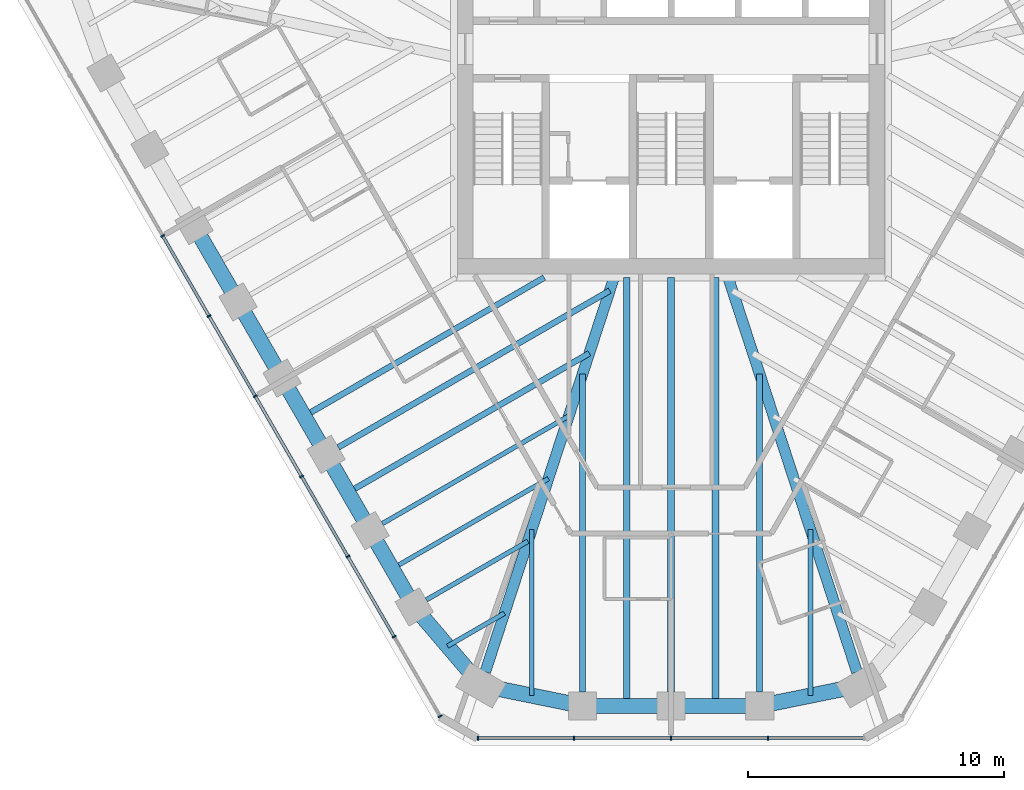
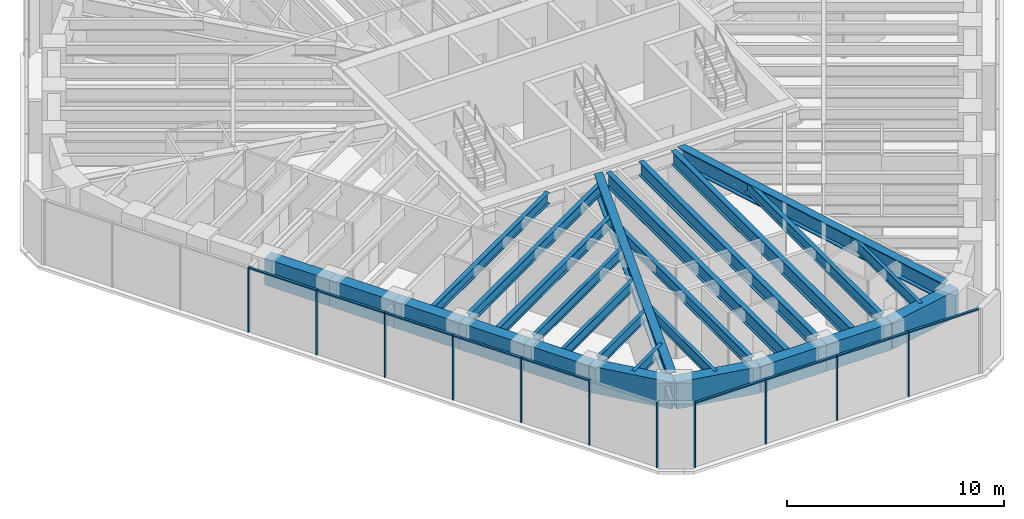
# One storey, part 2 of 14: 26 beams, 20 members, 2 elements without a shape of their own.
"""IFC4 building model written with IfcOpenShell, lengths in metres."""

from ifc_helpers import new_model, si_unit, direction, frame, origin, origin_2d, place, context, subcontext, project, spatial, rectangle, i_section, extrude, material, material_profile, profile_set, type_object, element, aggregate, save


model = new_model("IFC4")

# Units and contexts
model_context = context("Model", 3, precision=1e-05, world=origin(), true_north=direction((0.0, 1.0)))
body_context = subcontext(model_context, "Body", "Model", "MODEL_VIEW")
ifc_project = project(units=[si_unit("LENGTHUNIT", "METRE"), si_unit("AREAUNIT", "SQUARE_METRE"), si_unit("VOLUMEUNIT", "CUBIC_METRE"), si_unit("PLANEANGLEUNIT", "RADIAN"), si_unit("MASSUNIT", "GRAM", prefix="KILO")], contexts=[model_context])

# Site, building, storey
site_placement = place(None, origin())
site = spatial("IfcSite", under=ifc_project, at=site_placement, CompositionType="ELEMENT")
building_placement = place(site_placement, origin())
building = spatial("IfcBuilding", under=site, at=building_placement, Name="Sandreach Pilgrim Tower", CompositionType="ELEMENT")
storey_placement = place(building_placement, frame((0.0, 0.0, 287.39990234375)))
storey = spatial("IfcBuildingStorey", under=building, at=storey_placement, Name="L72", CompositionType="ELEMENT", Elevation=287.39990234375)

# Curtain wall, members
ifc_material_1 = material(Name="Aluminium framed curtain wall", Category="aluminium")
curtain_wall_type = type_object("IfcCurtainWallType", Name="Suite tower curtain wall", PredefinedType="NOTDEFINED", material=ifc_material_1)
curtain_wall_1_placement = place(storey_placement, origin())
curtain_wall_1 = element("IfcCurtainWall", 1, at=curtain_wall_1_placement, inside=storey, type_object=curtain_wall_type, Name="CW-4 L72 S", PredefinedType="NOTDEFINED")
ifc_material_2 = material(Name="Aluminium extrusion", Category="aluminium")
ifc_material_profile_1 = material_profile(ifc_material_2, rectangle(XDim=0.06005859375, YDim=0.159912109375, at=origin_2d()), Name="CW-4M 60X160")
ifc_profile_set_1 = profile_set([ifc_material_profile_1], Name="Aluminium extrusion")
member_type_1 = type_object("IfcMemberType", Name="CW-4 mullion", PredefinedType="MULLION", material=ifc_profile_set_1)
member_1_placement = place(storey_placement, frame((3.791748046875, -24.858154296875, 0.0), z_axis=(0.0, 0.0, 1.0), x_axis=(-1.0, 0.0, 0.0)))
member_1 = element("IfcMember", 2, at=member_1_placement, type_object=member_type_1, Name="CW-4 mullion 2", PredefinedType="MULLION", context=body_context, shape_type="SweptSolid", body=[
    extrude(rectangle(XDim=0.06005859375, YDim=0.159912109375, at=origin_2d()), origin(), (0.0, 0.0, 1.0), 3.64013671875),
])
member_2_placement = place(storey_placement, frame((0.0, -24.858154296875, 0.0), z_axis=(0.0, 0.0, 1.0), x_axis=(-1.0, 0.0, 0.0)))
member_2 = element("IfcMember", 3, at=member_2_placement, type_object=member_type_1, Name="CW-4 mullion 3", PredefinedType="MULLION", context=body_context, shape_type="SweptSolid", body=[
    extrude(rectangle(XDim=0.06005859375, YDim=0.159912109375, at=origin_2d()), origin(), (0.0, 0.0, 1.0), 3.64013671875),
])
member_3_placement = place(storey_placement, frame((-3.791748046875, -24.858154296875, 0.0), z_axis=(0.0, 0.0, 1.0), x_axis=(-1.0, 0.0, 0.0)))
member_3 = element("IfcMember", 4, at=member_3_placement, type_object=member_type_1, Name="CW-4 mullion 4", PredefinedType="MULLION", context=body_context, shape_type="SweptSolid", body=[
    extrude(rectangle(XDim=0.06005859375, YDim=0.159912109375, at=origin_2d()), origin(), (0.0, 0.0, 1.0), 3.64013671875),
])
member_4_placement = place(storey_placement, frame((-7.553466796875, -24.858154296875, 0.0), z_axis=(0.0, 0.0, 1.0), x_axis=(-1.0, 0.0, 0.0)))
member_4 = element("IfcMember", 5, at=member_4_placement, type_object=member_type_1, Name="CW-4 mullion 5", PredefinedType="MULLION", context=body_context, shape_type="SweptSolid", body=[
    extrude(rectangle(XDim=0.06005859375, YDim=0.159912109375, at=origin_2d()), origin(), (0.0, 0.0, 1.0), 3.64013671875),
])

curtain_wall_2_placement = place(storey_placement, origin())
curtain_wall_2 = element("IfcCurtainWall", 6, at=curtain_wall_2_placement, inside=storey, type_object=curtain_wall_type, Name="CW-4 L72 SW", PredefinedType="NOTDEFINED")
member_5_placement = place(storey_placement, frame((-9.035888671875, -24.001953125, 0.0), z_axis=(0.0, 0.0, 1.0), x_axis=(-0.5, 0.866025403784, 0.0)))
member_5 = element("IfcMember", 7, at=member_5_placement, type_object=member_type_1, Name="CW-4 mullion 1", PredefinedType="MULLION", context=body_context, shape_type="SweptSolid", body=[
    extrude(rectangle(XDim=0.06005859375, YDim=0.159912109375, at=origin_2d()), origin(), (0.0, 0.0, 1.0), 3.64013671875),
])
member_6_placement = place(storey_placement, frame((-10.83203125, -20.891357421875, 0.0), z_axis=(0.0, 0.0, 1.0), x_axis=(-0.5, 0.866025403784, 0.0)))
member_6 = element("IfcMember", 8, at=member_6_placement, type_object=member_type_1, Name="CW-4 mullion 2", PredefinedType="MULLION", context=body_context, shape_type="SweptSolid", body=[
    extrude(rectangle(XDim=0.06005859375, YDim=0.159912109375, at=origin_2d()), origin(), (0.0, 0.0, 1.0), 3.64013671875),
])
member_7_placement = place(storey_placement, frame((-12.642822265625, -17.7548828125, 0.0), z_axis=(0.0, 0.0, 1.0), x_axis=(-0.5, 0.866025403784, 0.0)))
member_7 = element("IfcMember", 9, at=member_7_placement, type_object=member_type_1, Name="CW-4 mullion 3", PredefinedType="MULLION", context=body_context, shape_type="SweptSolid", body=[
    extrude(rectangle(XDim=0.06005859375, YDim=0.159912109375, at=origin_2d()), origin(), (0.0, 0.0, 1.0), 3.64013671875),
])
member_8_placement = place(storey_placement, frame((-14.453857421875, -14.6181640625, 0.0), z_axis=(0.0, 0.0, 1.0), x_axis=(-0.5, 0.866025403784, 0.0)))
member_8 = element("IfcMember", 10, at=member_8_placement, type_object=member_type_1, Name="CW-4 mullion 4", PredefinedType="MULLION", context=body_context, shape_type="SweptSolid", body=[
    extrude(rectangle(XDim=0.06005859375, YDim=0.159912109375, at=origin_2d()), origin(), (0.0, 0.0, 1.0), 3.64013671875),
])
member_9_placement = place(storey_placement, frame((-16.2646484375, -11.4814453125, 0.0), z_axis=(0.0, 0.0, 1.0), x_axis=(-0.5, 0.866025403784, 0.0)))
member_9 = element("IfcMember", 11, at=member_9_placement, type_object=member_type_1, Name="CW-4 mullion 5", PredefinedType="MULLION", context=body_context, shape_type="SweptSolid", body=[
    extrude(rectangle(XDim=0.06005859375, YDim=0.159912109375, at=origin_2d()), origin(), (0.0, 0.0, 1.0), 3.64013671875),
])
member_10_placement = place(storey_placement, frame((-18.07568359375, -8.344970703125, 0.0), z_axis=(0.0, 0.0, 1.0), x_axis=(-0.5, 0.866025403784, 0.0)))
member_10 = element("IfcMember", 12, at=member_10_placement, type_object=member_type_1, Name="CW-4 mullion 6", PredefinedType="MULLION", context=body_context, shape_type="SweptSolid", body=[
    extrude(rectangle(XDim=0.06005859375, YDim=0.159912109375, at=origin_2d()), origin(), (0.0, 0.0, 1.0), 3.64013671875),
])
member_11_placement = place(storey_placement, frame((-19.886474609375, -5.208251953125, 0.0), z_axis=(0.0, 0.0, 1.0), x_axis=(-0.5, 0.866025403784, 0.0)))
member_11 = element("IfcMember", 13, at=member_11_placement, type_object=member_type_1, Name="CW-4 mullion 7", PredefinedType="MULLION", context=body_context, shape_type="SweptSolid", body=[
    extrude(rectangle(XDim=0.06005859375, YDim=0.159912109375, at=origin_2d()), origin(), (0.0, 0.0, 1.0), 3.64013671875),
])

# Member
ifc_material_3 = material(Name="Aluminium extrusion", Category="aluminium")
ifc_material_profile_2 = material_profile(ifc_material_3, rectangle(XDim=0.1201171875, YDim=0.070068359375, at=origin_2d()), Name="CW-4T 120X70")
ifc_profile_set_2 = profile_set([ifc_material_profile_2], Name="Aluminium extrusion")
member_type_2 = type_object("IfcMemberType", Name="CW-4 transom", PredefinedType="USERDEFINED", material=ifc_profile_set_2)
member_12_placement = place(storey_placement, frame((7.5234375, -24.858154296875, 3.60498046875), z_axis=(-1.0, 0.0, 0.0), x_axis=(0.0, -1.0, 0.0)))
member_12 = element("IfcMember", 14, at=member_12_placement, type_object=member_type_2, Name="CW-4 head transom 1", ObjectType="TRANSOM", PredefinedType="USERDEFINED", context=body_context, shape_type="SweptSolid", body=[
    extrude(rectangle(XDim=0.1201171875, YDim=0.070068359375, at=origin_2d()), origin(), (0.0, 0.0, 1.0), 3.70166015625),
])

member_13_placement = place(storey_placement, frame((3.76171875, -24.858154296875, 3.60498046875), z_axis=(-1.0, 0.0, 0.0), x_axis=(0.0, -1.0, 0.0)))
member_13 = element("IfcMember", 15, at=member_13_placement, type_object=member_type_2, Name="CW-4 head transom 2", ObjectType="TRANSOM", PredefinedType="USERDEFINED", context=body_context, shape_type="SweptSolid", body=[
    extrude(rectangle(XDim=0.1201171875, YDim=0.070068359375, at=origin_2d()), origin(), (0.0, 0.0, 1.0), 3.731689453125),
])

member_14_placement = place(storey_placement, frame((-0.030029296875, -24.858154296875, 3.60498046875), z_axis=(-1.0, 0.0, 0.0), x_axis=(0.0, -1.0, 0.0)))
member_14 = element("IfcMember", 16, at=member_14_placement, type_object=member_type_2, Name="CW-4 head transom 3", ObjectType="TRANSOM", PredefinedType="USERDEFINED", context=body_context, shape_type="SweptSolid", body=[
    extrude(rectangle(XDim=0.1201171875, YDim=0.070068359375, at=origin_2d()), origin(), (0.0, 0.0, 1.0), 3.731689453125),
])

member_15_placement = place(storey_placement, frame((-3.82177734375, -24.858154296875, 3.60498046875), z_axis=(-1.0, 0.0, 0.0), x_axis=(0.0, -1.0, 0.0)))
member_15 = element("IfcMember", 17, at=member_15_placement, type_object=member_type_2, Name="CW-4 head transom 4", ObjectType="TRANSOM", PredefinedType="USERDEFINED", context=body_context, shape_type="SweptSolid", body=[
    extrude(rectangle(XDim=0.1201171875, YDim=0.070068359375, at=origin_2d()), origin(), (0.0, 0.0, 1.0), 3.70166015625),
])

aggregate(curtain_wall_1, [member_1, member_2, member_3, member_4, member_12, member_13, member_14, member_15])

member_16_placement = place(storey_placement, frame((-10.846923828125, -20.865478515625, 3.60498046875), z_axis=(-0.500009219579, 0.866020080793, 0.0), x_axis=(-0.866020080793, -0.500009219579, 0.0)))
member_16 = element("IfcMember", 18, at=member_16_placement, type_object=member_type_2, Name="CW-4 head transom 2", ObjectType="TRANSOM", PredefinedType="USERDEFINED", context=body_context, shape_type="SweptSolid", body=[
    extrude(rectangle(XDim=0.1201171875, YDim=0.070068359375, at=origin_2d()), origin(), (0.0, 0.0, 1.0), 3.56201171875),
])

member_17_placement = place(storey_placement, frame((-12.657958984375, -17.728759765625, 3.60498046875), z_axis=(-0.499957811549, 0.866049759928, 0.0), x_axis=(-0.866049759928, -0.499957811549, 0.0)))
member_17 = element("IfcMember", 19, at=member_17_placement, type_object=member_type_2, Name="CW-4 head transom 3", ObjectType="TRANSOM", PredefinedType="USERDEFINED", context=body_context, shape_type="SweptSolid", body=[
    extrude(rectangle(XDim=0.1201171875, YDim=0.070068359375, at=origin_2d()), origin(), (0.0, 0.0, 1.0), 3.561767578125),
])

member_18_placement = place(storey_placement, frame((-14.46875, -14.59228515625, 3.60498046875), z_axis=(-0.500009219579, 0.866020080793, 0.0), x_axis=(-0.866020080793, -0.500009219579, 0.0)))
member_18 = element("IfcMember", 20, at=member_18_placement, type_object=member_type_2, Name="CW-4 head transom 4", ObjectType="TRANSOM", PredefinedType="USERDEFINED", context=body_context, shape_type="SweptSolid", body=[
    extrude(rectangle(XDim=0.1201171875, YDim=0.070068359375, at=origin_2d()), origin(), (0.0, 0.0, 1.0), 3.56201171875),
])

member_19_placement = place(storey_placement, frame((-16.27978515625, -11.45556640625, 3.60498046875), z_axis=(-0.499957811549, 0.866049759928, 0.0), x_axis=(-0.866049759928, -0.499957811549, 0.0)))
member_19 = element("IfcMember", 21, at=member_19_placement, type_object=member_type_2, Name="CW-4 head transom 5", ObjectType="TRANSOM", PredefinedType="USERDEFINED", context=body_context, shape_type="SweptSolid", body=[
    extrude(rectangle(XDim=0.1201171875, YDim=0.070068359375, at=origin_2d()), origin(), (0.0, 0.0, 1.0), 3.561767578125),
])

member_20_placement = place(storey_placement, frame((-18.090576171875, -8.31884765625, 3.60498046875), z_axis=(-0.500038900691, 0.866002943295, 0.0), x_axis=(-0.866002943295, -0.500038900691, 0.0)))
member_20 = element("IfcMember", 22, at=member_20_placement, type_object=member_type_2, Name="CW-4 head transom 6", ObjectType="TRANSOM", PredefinedType="USERDEFINED", context=body_context, shape_type="SweptSolid", body=[
    extrude(rectangle(XDim=0.1201171875, YDim=0.070068359375, at=origin_2d()), origin(), (0.0, 0.0, 1.0), 3.561767578125),
])

aggregate(curtain_wall_2, [member_5, member_6, member_7, member_8, member_9, member_10, member_11, member_16, member_17, member_18, member_19, member_20])

# Beams
ifc_material_4 = material(Name="Steel ASTM A992 Grade 50", Category="steel")
ifc_material_profile_3 = material_profile(ifc_material_4, i_section(OverallWidth=0.424072265625, OverallDepth=0.947509765625, WebThickness=0.02392578125, FlangeThickness=0.042724609375, at=origin_2d()), Name="W36X302")
ifc_profile_set_3 = profile_set([ifc_material_profile_3], Name="Steel ASTM A992 Grade 50")
beam_type_1 = type_object("IfcBeamType", Name="Corner girder W36X302", PredefinedType="BEAM", material=ifc_profile_set_3)
for number, where, z_axis, x_axis, name in (
    (23, (7.268310546875, -22.2666015625, 3.16650390625), (-0.310308570047, 0.950635887896, 0.0), (-0.950635887896, -0.310308570047, 0.0), "BM L72 CG22"),
    (24, (-7.268310546875, -22.2666015625, 3.16650390625), (0.310308570047, 0.950635887896, 0.0), (-0.950635887896, 0.310308570047, 0.0), "BM L72 CG26"),
):
    element("IfcBeam", number, at=place(storey_placement, frame(where, z_axis=z_axis, x_axis=x_axis)), inside=storey, type_object=beam_type_1, Name=name, PredefinedType="BEAM", context=body_context, shape_type="SweptSolid", body=[
        extrude(i_section(OverallWidth=0.424072265625, OverallDepth=0.947509765625, WebThickness=0.02392578125, FlangeThickness=0.042724609375, at=origin_2d()), origin(), (0.0, 0.0, 1.0), 16.375),
    ])
ifc_material_5 = material(Name="Steel ASTM A992 Grade 50", Category="steel")
ifc_material_profile_4 = material_profile(ifc_material_5, i_section(OverallWidth=0.1787109375, OverallDepth=0.60205078125, WebThickness=0.010986328125, FlangeThickness=0.014892578125, at=origin_2d()), Name="W24X62")
ifc_profile_set_4 = profile_set([ifc_material_profile_4], Name="Steel ASTM A992 Grade 50")
beam_type_2 = type_object("IfcBeamType", Name="Floor beam W24X62", PredefinedType="BEAM", material=ifc_profile_set_4)
beam_1_placement = place(storey_placement, frame((-9.573974609375, -19.450439453125, 3.339111328125), z_axis=(0.866024320471, 0.50000187635, 0.0), x_axis=(-0.50000187635, 0.866024320471, 0.0)))
element("IfcBeam", 25, at=beam_1_placement, inside=storey, type_object=beam_type_2, Name="BM L72 F27", PredefinedType="BEAM", context=body_context, shape_type="SweptSolid", body=[
    extrude(i_section(OverallWidth=0.1787109375, OverallDepth=0.60205078125, WebThickness=0.010986328125, FlangeThickness=0.014892578125, at=origin_2d()), origin(), (0.0, 0.0, 1.0), 4.58837890625),
])
beam_2_placement = place(storey_placement, frame((-11.29638671875, -16.466796875, 3.339111328125), z_axis=(0.866026819143, 0.499997548519, 0.0), x_axis=(-0.499997548519, 0.866026819143, 0.0)))
element("IfcBeam", 26, at=beam_2_placement, inside=storey, type_object=beam_type_2, Name="BM L72 F28", PredefinedType="BEAM", context=body_context, shape_type="SweptSolid", body=[
    extrude(i_section(OverallWidth=0.1787109375, OverallDepth=0.60205078125, WebThickness=0.010986328125, FlangeThickness=0.014892578125, at=origin_2d()), origin(), (0.0, 0.0, 1.0), 8.4248046875),
])
for number, where, z_axis, x_axis, name in (
    (27, (5.452392578125, -23.19384765625, 3.339111328125), (0.0, 1.0, 0.0), (-1.0, 0.0, 0.0), "BM L72 FM22"),
    (28, (-5.452392578125, -23.19384765625, 3.339111328125), (0.0, 1.0, 0.0), (-1.0, 0.0, 0.0), "BM L72 FM25"),
):
    element("IfcBeam", number, at=place(storey_placement, frame(where, z_axis=z_axis, x_axis=x_axis)), inside=storey, type_object=beam_type_2, Name=name, PredefinedType="BEAM", context=body_context, shape_type="SweptSolid", body=[
        extrude(i_section(OverallWidth=0.1787109375, OverallDepth=0.60205078125, WebThickness=0.010986328125, FlangeThickness=0.014892578125, at=origin_2d()), origin(), (0.0, 0.0, 1.0), 6.49072265625),
    ])
beam_3_placement = place(storey_placement, frame((-8.74462890625, -21.25732421875, 3.339111328125), z_axis=(0.866041575714, 0.49997198835, 0.0), x_axis=(-0.49997198835, 0.866041575714, 0.0)))
element("IfcBeam", 29, at=beam_3_placement, inside=storey, type_object=beam_type_2, Name="BM L72 FM26", PredefinedType="BEAM", context=body_context, shape_type="SweptSolid", body=[
    extrude(i_section(OverallWidth=0.1787109375, OverallDepth=0.60205078125, WebThickness=0.010986328125, FlangeThickness=0.014892578125, at=origin_2d()), origin(), (0.0, 0.0, 1.0), 2.569091796875),
])
beam_4_placement = place(storey_placement, frame((-10.911376953125, -18.233642578125, 3.339111328125), z_axis=(0.866020229007, 0.50000896287, 0.0), x_axis=(-0.50000896287, 0.866020229007, 0.0)))
element("IfcBeam", 30, at=beam_4_placement, inside=storey, type_object=beam_type_2, Name="BM L72 FM27", PredefinedType="BEAM", context=body_context, shape_type="SweptSolid", body=[
    extrude(i_section(OverallWidth=0.1787109375, OverallDepth=0.60205078125, WebThickness=0.010986328125, FlangeThickness=0.014892578125, at=origin_2d()), origin(), (0.0, 0.0, 1.0), 7.056396484375),
])
ifc_material_6 = material(Name="Steel ASTM A992 Grade 50", Category="steel")
ifc_material_profile_5 = material_profile(ifc_material_6, i_section(OverallWidth=0.23046875, OverallDepth=0.6171875, WebThickness=0.01318359375, FlangeThickness=0.022216796875, at=origin_2d()), Name="W24X94")
ifc_profile_set_5 = profile_set([ifc_material_profile_5], Name="Steel ASTM A992 Grade 50")
beam_type_3 = type_object("IfcBeamType", Name="Floor beam W24X94", PredefinedType="BEAM", material=ifc_profile_set_5)
for number, where, z_axis, x_axis, name in (
    (31, (3.465576171875, -23.048095703125, 3.33154296875), (0.0, 1.0, 0.0), (-1.0, 0.0, 0.0), "BM L72 F23"),
    (32, (-3.465576171875, -23.048095703125, 3.33154296875), (0.0, 1.0, 0.0), (-1.0, 0.0, 0.0), "BM L72 F25"),
):
    element("IfcBeam", number, at=place(storey_placement, frame(where, z_axis=z_axis, x_axis=x_axis)), inside=storey, type_object=beam_type_3, Name=name, PredefinedType="BEAM", context=body_context, shape_type="SweptSolid", body=[
        extrude(i_section(OverallWidth=0.23046875, OverallDepth=0.6171875, WebThickness=0.01318359375, FlangeThickness=0.022216796875, at=origin_2d()), origin(), (0.0, 0.0, 1.0), 12.431396484375),
    ])
beam_5_placement = place(storey_placement, frame((-13.018798828125, -13.4833984375, 3.33154296875), z_axis=(0.866019132277, 0.500010862412, 0.0), x_axis=(-0.500010862412, 0.866019132277, 0.0)))
element("IfcBeam", 33, at=beam_5_placement, inside=storey, type_object=beam_type_3, Name="BM L72 F29", PredefinedType="BEAM", context=body_context, shape_type="SweptSolid", body=[
    extrude(i_section(OverallWidth=0.23046875, OverallDepth=0.6171875, WebThickness=0.01318359375, FlangeThickness=0.022216796875, at=origin_2d()), origin(), (0.0, 0.0, 1.0), 12.261474609375),
])
beam_6_placement = place(storey_placement, frame((-12.634033203125, -15.250244140625, 3.33154296875), z_axis=(0.866019500887, 0.500010223979, 0.0), x_axis=(-0.500010223979, 0.866019500887, 0.0)))
element("IfcBeam", 34, at=beam_6_placement, inside=storey, type_object=beam_type_3, Name="BM L72 FM28", PredefinedType="BEAM", context=body_context, shape_type="SweptSolid", body=[
    extrude(i_section(OverallWidth=0.23046875, OverallDepth=0.6171875, WebThickness=0.01318359375, FlangeThickness=0.022216796875, at=origin_2d()), origin(), (0.0, 0.0, 1.0), 10.893310546875),
])
beam_7_placement = place(storey_placement, frame((-14.3564453125, -12.2666015625, 3.33154296875), z_axis=(0.866026660645, 0.499997823047, 0.0), x_axis=(-0.499997823047, 0.866026660645, 0.0)))
element("IfcBeam", 35, at=beam_7_placement, inside=storey, type_object=beam_type_3, Name="BM L72 FM29", PredefinedType="BEAM", context=body_context, shape_type="SweptSolid", body=[
    extrude(i_section(OverallWidth=0.23046875, OverallDepth=0.6171875, WebThickness=0.01318359375, FlangeThickness=0.022216796875, at=origin_2d()), origin(), (0.0, 0.0, 1.0), 10.8466796875),
])
ifc_material_7 = material(Name="Steel ASTM A992 Grade 50", Category="steel")
ifc_material_profile_6 = material_profile(ifc_material_7, i_section(OverallWidth=0.2666015625, OverallDepth=0.77978515625, WebThickness=0.0166015625, FlangeThickness=0.030029296875, at=origin_2d()), Name="W30X148")
ifc_profile_set_6 = profile_set([ifc_material_profile_6], Name="Steel ASTM A992 Grade 50")
beam_type_4 = type_object("IfcBeamType", Name="Floor beam W30X148", PredefinedType="BEAM", material=ifc_profile_set_6)
beam_8_placement = place(storey_placement, frame((0.0, -23.048095703125, 3.250244140625), z_axis=(0.0, 1.0, 0.0), x_axis=(-1.0, 0.0, 0.0)))
element("IfcBeam", 36, at=beam_8_placement, inside=storey, type_object=beam_type_4, Name="BM L72 F24", PredefinedType="BEAM", context=body_context, shape_type="SweptSolid", body=[
    extrude(i_section(OverallWidth=0.2666015625, OverallDepth=0.77978515625, WebThickness=0.0166015625, FlangeThickness=0.030029296875, at=origin_2d()), origin(), (0.0, 0.0, 1.0), 16.204833984375),
])
for number, where, z_axis, x_axis, name in (
    (37, (1.732666015625, -23.59814453125, 3.250244140625), (0.0, 1.0, 0.0), (-1.0, 0.0, 0.0), "BM L72 FM23"),
    (38, (-1.732666015625, -23.59814453125, 3.250244140625), (0.0, 1.0, 0.0), (-1.0, 0.0, 0.0), "BM L72 FM24"),
):
    element("IfcBeam", number, at=place(storey_placement, frame(where, z_axis=z_axis, x_axis=x_axis)), inside=storey, type_object=beam_type_4, Name=name, PredefinedType="BEAM", context=body_context, shape_type="SweptSolid", body=[
        extrude(i_section(OverallWidth=0.2666015625, OverallDepth=0.77978515625, WebThickness=0.0166015625, FlangeThickness=0.030029296875, at=origin_2d()), origin(), (0.0, 0.0, 1.0), 16.7548828125),
    ])
ifc_material_8 = material(Name="Concrete 10000 psi", Category="concrete")
ifc_material_profile_7 = material_profile(ifc_material_8, rectangle(XDim=0.60009765625, YDim=1.5, at=origin_2d()), Name="RC600X1500")
ifc_profile_set_7 = profile_set([ifc_material_profile_7], Name="Concrete 10000 psi")
beam_type_5 = type_object("IfcBeamType", Name="Spandrel beam RC600X1500", PredefinedType="SPANDREL", material=ifc_profile_set_7)
beam_9_placement = place(storey_placement, frame((7.439208984375, -22.78955078125, 2.89013671875), z_axis=(-0.979917524616, -0.199403222016, 0.0), x_axis=(0.199403222016, -0.979917524616, 0.0)))
element("IfcBeam", 39, at=beam_9_placement, inside=storey, type_object=beam_type_5, Name="BM L72 SP22", PredefinedType="SPANDREL", context=body_context, shape_type="SweptSolid", body=[
    extrude(rectangle(XDim=0.60009765625, YDim=1.5, at=origin_2d()), origin(), (0.0, 0.0, 1.0), 4.05517578125),
])
for number, where, z_axis, x_axis, name in (
    (40, (3.465576171875, -23.59814453125, 2.89013671875), (-1.0, 0.0, 0.0), (0.0, -1.0, 0.0), "BM L72 SP23"),
    (41, (0.0, -23.59814453125, 2.89013671875), (-1.0, 0.0, 0.0), (0.0, -1.0, 0.0), "BM L72 SP24"),
):
    element("IfcBeam", number, at=place(storey_placement, frame(where, z_axis=z_axis, x_axis=x_axis)), inside=storey, type_object=beam_type_5, Name=name, PredefinedType="SPANDREL", context=body_context, shape_type="SweptSolid", body=[
        extrude(rectangle(XDim=0.60009765625, YDim=1.5, at=origin_2d()), origin(), (0.0, 0.0, 1.0), 3.465576171875),
    ])
beam_10_placement = place(storey_placement, frame((-3.465576171875, -23.59814453125, 2.89013671875), z_axis=(-0.979917524616, 0.199403222016, 0.0), x_axis=(-0.199403222016, -0.979917524616, 0.0)))
element("IfcBeam", 42, at=beam_10_placement, inside=storey, type_object=beam_type_5, Name="BM L72 SP25", PredefinedType="SPANDREL", context=body_context, shape_type="SweptSolid", body=[
    extrude(rectangle(XDim=0.60009765625, YDim=1.5, at=origin_2d()), origin(), (0.0, 0.0, 1.0), 4.05517578125),
])
beam_11_placement = place(storey_placement, frame((-7.439208984375, -22.78955078125, 2.89013671875), z_axis=(-0.648586192707, 0.761141215958, 0.0), x_axis=(-0.761141215958, -0.648586192707, 0.0)))
element("IfcBeam", 43, at=beam_11_placement, inside=storey, type_object=beam_type_5, Name="BM L72 SP26", PredefinedType="SPANDREL", context=body_context, shape_type="SweptSolid", body=[
    extrude(rectangle(XDim=0.60009765625, YDim=1.5, at=origin_2d()), origin(), (0.0, 0.0, 1.0), 4.02587890625),
])
for number, where, z_axis, x_axis, name in (
    (44, (-10.05029296875, -19.725341796875, 2.89013671875), (-0.499988291006, 0.866032163869, 0.0), (-0.866032163869, -0.499988291006, 0.0), "BM L72 SP27"),
    (45, (-11.772705078125, -16.741943359375, 2.89013671875), (-0.499988291006, 0.866032163869, 0.0), (-0.866032163869, -0.499988291006, 0.0), "BM L72 SP28"),
):
    element("IfcBeam", number, at=place(storey_placement, frame(where, z_axis=z_axis, x_axis=x_axis)), inside=storey, type_object=beam_type_5, Name=name, PredefinedType="SPANDREL", context=body_context, shape_type="SweptSolid", body=[
        extrude(rectangle(XDim=0.60009765625, YDim=1.5, at=origin_2d()), origin(), (0.0, 0.0, 1.0), 3.44482421875),
    ])
beam_12_placement = place(storey_placement, frame((-13.4951171875, -13.758544921875, 2.89013671875), z_axis=(-0.500010754882, 0.866019194361, 0.0), x_axis=(-0.866019194361, -0.500010754882, 0.0)))
element("IfcBeam", 46, at=beam_12_placement, inside=storey, type_object=beam_type_5, Name="BM L72 SP29", PredefinedType="SPANDREL", context=body_context, shape_type="SweptSolid", body=[
    extrude(rectangle(XDim=0.60009765625, YDim=1.5, at=origin_2d()), origin(), (0.0, 0.0, 1.0), 3.4453125),
])
beam_13_placement = place(storey_placement, frame((-15.2177734375, -10.77490234375, 2.89013671875), z_axis=(-0.499988291006, 0.866032163869, 0.0), x_axis=(-0.866032163869, -0.499988291006, 0.0)))
element("IfcBeam", 47, at=beam_13_placement, inside=storey, type_object=beam_type_5, Name="BM L72 SP30", PredefinedType="SPANDREL", context=body_context, shape_type="SweptSolid", body=[
    extrude(rectangle(XDim=0.60009765625, YDim=1.5, at=origin_2d()), origin(), (0.0, 0.0, 1.0), 3.44482421875),
])
beam_14_placement = place(storey_placement, frame((-16.940185546875, -7.79150390625, 2.89013671875), z_axis=(-0.500041441558, 0.866001476168, 0.0), x_axis=(-0.866001476168, -0.500041441558, 0.0)))
element("IfcBeam", 48, at=beam_14_placement, inside=storey, type_object=beam_type_5, Name="BM L72 SP31", PredefinedType="SPANDREL", context=body_context, shape_type="SweptSolid", body=[
    extrude(rectangle(XDim=0.60009765625, YDim=1.5, at=origin_2d()), origin(), (0.0, 0.0, 1.0), 3.445068359375),
])

save(model, "model.ifc")
